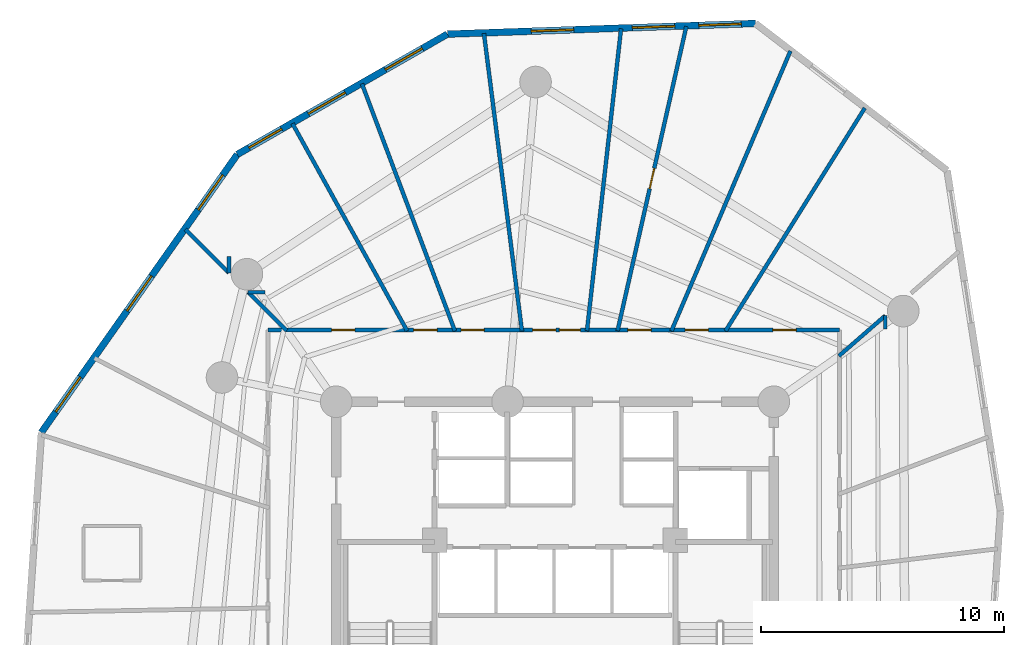
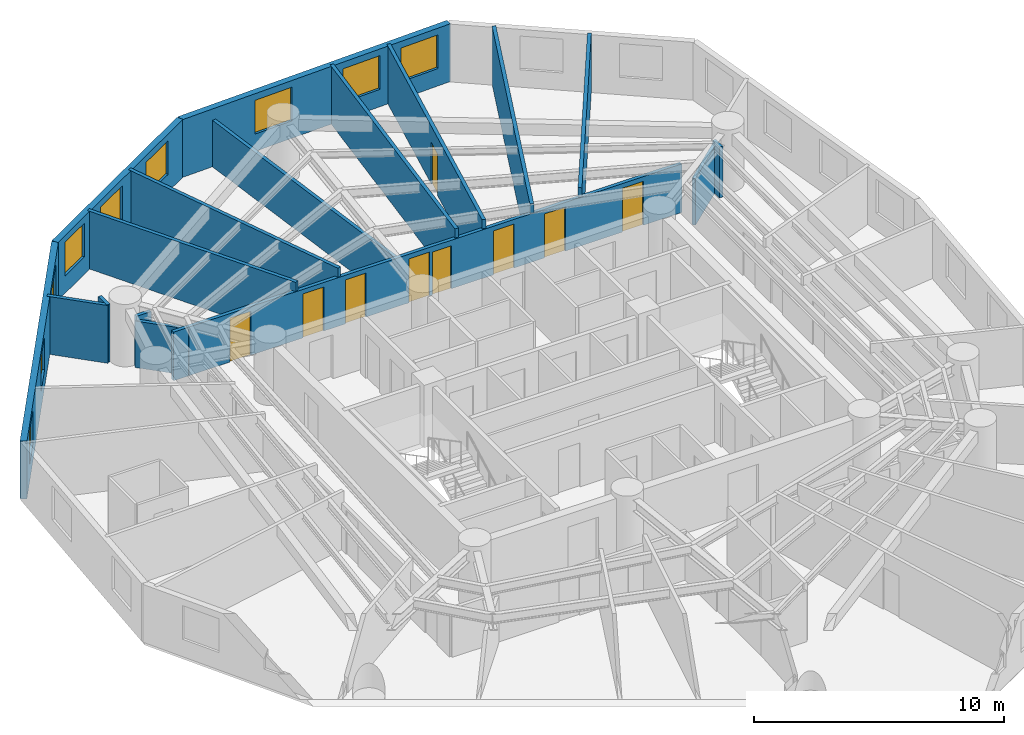
# One storey, part 6 of 8: 17 walls, 9 doors, 9 windows, 18 openings.
"""IFC4 building model written with IfcOpenShell, lengths in metres."""

from ifc_helpers import new_model, si_unit, direction, frame, frame_2d, origin, origin_with_axes, place, context, subcontext, project, spatial, rectangle, extrude, source, transform, mapped, material, layer, layer_set, type_object, element, fill, save


model = new_model("IFC4")

# Units and contexts
model_context = context("Model", 3, precision=1e-05, world=origin(), true_north=direction((0.0, 1.0)))
body_context = subcontext(model_context, "Body", "Model", "MODEL_VIEW")
ifc_project = project(units=[si_unit("LENGTHUNIT", "METRE"), si_unit("AREAUNIT", "SQUARE_METRE"), si_unit("VOLUMEUNIT", "CUBIC_METRE"), si_unit("PLANEANGLEUNIT", "RADIAN"), si_unit("MASSUNIT", "GRAM", prefix="KILO")], contexts=[model_context])

# Site, building, storey
site_placement = place(None, origin())
site = spatial("IfcSite", under=ifc_project, at=site_placement, CompositionType="ELEMENT")
building_placement = place(site_placement, origin())
building = spatial("IfcBuilding", under=site, at=building_placement, Name="Karkom Vertical University and Central Library", CompositionType="ELEMENT")
storey_placement = place(building_placement, frame((0.0, 0.0, 177.89990234375)))
storey = spatial("IfcBuildingStorey", under=building, at=storey_placement, Name="L51", CompositionType="ELEMENT", Elevation=177.89990234375)

# Wall, openings, windows
ifc_material_1 = material(Name="Brick-faced precast concrete C45/55", Category="masonry")
ifc_layer_1 = layer(ifc_material_1, 0.280029296875)
ifc_layer_set_1 = layer_set([ifc_layer_1], Name="Brick-faced precast concrete C45/55")
wall_type_1 = type_object("IfcWallType", Name="ENV-WL-BRK-280", PredefinedType="SOLIDWALL", material=ifc_layer_set_1)
wall_1_placement = place(storey_placement, frame((36.74560546875, 50.26123046875, 0.0), z_axis=(0.0, 0.0, 1.0), x_axis=(-0.999397278307, -0.034714263833, 0.0)))
wall_1 = element("IfcWall", 1, at=wall_1_placement, inside=storey, type_object=wall_type_1, Name="Level 51 Brick-Faced Precast Facade Wall 10", PredefinedType="SOLIDWALL", context=body_context, shape_type="SweptSolid", body=[
    extrude(rectangle(XDim=12.68017578125, YDim=0.280029296875, at=frame_2d((6.340087890625, 0.0))), origin(), (0.0, 0.0, 1.0), 2.8251953125),
])
opening_1_placement = place(wall_1_placement, frame((0.582763671875, 0.0, 0.85009765625)))
opening_1 = element("IfcOpeningElement", 2, at=opening_1_placement, cuts=wall_1, Name="Opening WN-08", PredefinedType="OPENING", context=body_context, shape_type="SweptSolid", body=[
    extrude(rectangle(XDim=1.75, YDim=1.64990234375, at=frame_2d((0.875, 0.824951171875))), frame((0.0, 0.14990234375, 0.0), z_axis=(0.0, -1.0, 0.0), x_axis=(1.0, 0.0, 0.0)), (0.0, 0.0, 1.0), 0.300048828125),
])
opening_2_placement = place(wall_1_placement, frame((3.321044921875, 0.0, 0.85009765625)))
opening_2 = element("IfcOpeningElement", 3, at=opening_2_placement, cuts=wall_1, Name="Opening WN-08", PredefinedType="OPENING", context=body_context, shape_type="SweptSolid", body=[
    extrude(rectangle(XDim=1.75, YDim=1.64990234375, at=frame_2d((0.875, 0.824951171875))), frame((0.0, 0.14990234375, 0.0), z_axis=(0.0, -1.0, 0.0), x_axis=(1.0, 0.0, 0.0)), (0.0, 0.0, 1.0), 0.300048828125),
])
opening_3_placement = place(wall_1_placement, frame((7.479248046875, 0.0, 0.85009765625)))
opening_3 = element("IfcOpeningElement", 4, at=opening_3_placement, cuts=wall_1, Name="Opening WN-08", PredefinedType="OPENING", context=body_context, shape_type="SweptSolid", body=[
    extrude(rectangle(XDim=1.75, YDim=1.64990234375, at=frame_2d((0.875, 0.824951171875))), frame((0.0, 0.14990234375, 0.0), z_axis=(0.0, -1.0, 0.0), x_axis=(1.0, 0.0, 0.0)), (0.0, 0.0, 1.0), 0.300048828125),
])
ifc_material_2 = material(Name="Aluminium thermal-break frame with solar-control IGU", Category="aluminium")
window_type_1 = type_object("IfcWindowType", Name="ENV-WIN-WN-08", PartitioningType="SINGLE_PANEL", PredefinedType="WINDOW", material=ifc_material_2)
shared_shape_1 = source(origin_with_axes(), body_context, "Body", "SweptSolid", [
    extrude(rectangle(XDim=1.75, YDim=1.64990234375, at=frame_2d((0.875, 0.824951171875))), frame((0.0, 0.030029296875, 0.0), z_axis=(0.0, -1.0, 0.0), x_axis=(1.0, 0.0, 0.0)), (0.0, 0.0, 1.0), 0.06005859375),
])
window_1_placement = place(opening_1_placement, origin())
window_1 = element("IfcWindow", 5, at=window_1_placement, inside=storey, type_object=window_type_1, Name="Level 51 Punched Window 10.1", OverallHeight=1.64990234375, OverallWidth=1.75, PartitioningType="SINGLE_PANEL", PredefinedType="WINDOW", context=body_context, shape_type="MappedRepresentation", body=[
    mapped(shared_shape_1, transform((0.0, 0.0, 0.0), scale=1.0)),
])
fill(opening_1, window_1)
window_2_placement = place(opening_2_placement, origin())
window_2 = element("IfcWindow", 6, at=window_2_placement, inside=storey, type_object=window_type_1, Name="Level 51 Punched Window 10.2", OverallHeight=1.64990234375, OverallWidth=1.75, PartitioningType="SINGLE_PANEL", PredefinedType="WINDOW", context=body_context, shape_type="MappedRepresentation", body=[
    mapped(shared_shape_1, transform((0.0, 0.0, 0.0), scale=1.0)),
])
fill(opening_2, window_2)
window_3_placement = place(opening_3_placement, origin())
window_3 = element("IfcWindow", 7, at=window_3_placement, inside=storey, type_object=window_type_1, Name="Level 51 Punched Window 10.3", OverallHeight=1.64990234375, OverallWidth=1.75, PartitioningType="SINGLE_PANEL", PredefinedType="WINDOW", context=body_context, shape_type="MappedRepresentation", body=[
    mapped(shared_shape_1, transform((0.0, 0.0, 0.0), scale=1.0)),
])
fill(opening_3, window_3)

wall_2_placement = place(storey_placement, frame((24.072998046875, 49.821044921875, 0.0), z_axis=(0.0, 0.0, 1.0), x_axis=(-0.867722183799, -0.49704950633, 0.0)))
wall_2 = element("IfcWall", 8, at=wall_2_placement, inside=storey, type_object=wall_type_1, Name="Level 51 Brick-Faced Precast Facade Wall 11", PredefinedType="SOLIDWALL", context=body_context, shape_type="SweptSolid", body=[
    extrude(rectangle(XDim=9.958740234375, YDim=0.280029296875, at=frame_2d((4.9794921875, 0.0))), origin(), (0.0, 0.0, 1.0), 2.8251953125),
])
opening_4_placement = place(wall_2_placement, frame((1.189697265625, 0.0, 0.85009765625)))
opening_4 = element("IfcOpeningElement", 9, at=opening_4_placement, cuts=wall_2, Name="Opening WN-08", PredefinedType="OPENING", context=body_context, shape_type="SweptSolid", body=[
    extrude(rectangle(XDim=1.75, YDim=1.64990234375, at=frame_2d((0.875, 0.824951171875))), frame((0.0, 0.14990234375, 0.0), z_axis=(0.0, -1.0, 0.0), x_axis=(1.0, 0.0, 0.0)), (0.0, 0.0, 1.0), 0.300048828125),
])
opening_5_placement = place(wall_2_placement, frame((4.837890625, 0.0, 0.85009765625)))
opening_5 = element("IfcOpeningElement", 10, at=opening_5_placement, cuts=wall_2, Name="Opening WN-08", PredefinedType="OPENING", context=body_context, shape_type="SweptSolid", body=[
    extrude(rectangle(XDim=1.75, YDim=1.64990234375, at=frame_2d((0.875, 0.824951171875))), frame((0.0, 0.14990234375, 0.0), z_axis=(0.0, -1.0, 0.0), x_axis=(1.0, 0.0, 0.0)), (0.0, 0.0, 1.0), 0.300048828125),
])
opening_6_placement = place(wall_2_placement, frame((7.852783203125, 0.0, 0.85009765625)))
opening_6 = element("IfcOpeningElement", 11, at=opening_6_placement, cuts=wall_2, Name="Opening WN-09", PredefinedType="OPENING", context=body_context, shape_type="SweptSolid", body=[
    extrude(rectangle(XDim=1.550048828125, YDim=1.64990234375, at=frame_2d((0.77490234375, 0.824951171875))), frame((0.0, 0.14990234375, 0.0), z_axis=(0.0, -1.0, 0.0), x_axis=(1.0, 0.0, 0.0)), (0.0, 0.0, 1.0), 0.300048828125),
])
window_4_placement = place(opening_4_placement, origin())
window_4 = element("IfcWindow", 12, at=window_4_placement, inside=storey, type_object=window_type_1, Name="Level 51 Punched Window 11.1", OverallHeight=1.64990234375, OverallWidth=1.75, PartitioningType="SINGLE_PANEL", PredefinedType="WINDOW", context=body_context, shape_type="MappedRepresentation", body=[
    mapped(shared_shape_1, transform((0.0, 0.0, 0.0), scale=1.0)),
])
fill(opening_4, window_4)
window_5_placement = place(opening_5_placement, origin())
window_5 = element("IfcWindow", 13, at=window_5_placement, inside=storey, type_object=window_type_1, Name="Level 51 Punched Window 11.2", OverallHeight=1.64990234375, OverallWidth=1.75, PartitioningType="SINGLE_PANEL", PredefinedType="WINDOW", context=body_context, shape_type="MappedRepresentation", body=[
    mapped(shared_shape_1, transform((0.0, 0.0, 0.0), scale=1.0)),
])
fill(opening_5, window_5)
window_type_2 = type_object("IfcWindowType", Name="ENV-WIN-WN-09", PartitioningType="SINGLE_PANEL", PredefinedType="WINDOW", material=ifc_material_2)
shared_shape_2 = source(origin_with_axes(), body_context, "Body", "SweptSolid", [
    extrude(rectangle(XDim=1.550048828125, YDim=1.64990234375, at=frame_2d((0.77490234375, 0.824951171875))), frame((0.0, 0.030029296875, 0.0), z_axis=(0.0, -1.0, 0.0), x_axis=(1.0, 0.0, 0.0)), (0.0, 0.0, 1.0), 0.06005859375),
])
window_6_placement = place(opening_6_placement, origin())
window_6 = element("IfcWindow", 14, at=window_6_placement, inside=storey, type_object=window_type_2, Name="Level 51 Punched Window 11.3", OverallHeight=1.64990234375, OverallWidth=1.550048828125, PartitioningType="SINGLE_PANEL", PredefinedType="WINDOW", context=body_context, shape_type="MappedRepresentation", body=[
    mapped(shared_shape_2, transform((0.0, 0.0, 0.0), scale=1.0)),
])
fill(opening_6, window_6)

wall_3_placement = place(storey_placement, frame((15.431640625, 44.87109375, 0.0), z_axis=(0.0, 0.0, 1.0), x_axis=(-0.576072539583, -0.817398574221, 0.0)))
wall_3 = element("IfcWall", 15, at=wall_3_placement, inside=storey, type_object=wall_type_1, Name="Level 51 Brick-Faced Precast Facade Wall 12", PredefinedType="SOLIDWALL", context=body_context, shape_type="SweptSolid", body=[
    extrude(rectangle(XDim=13.9892578125, YDim=0.280029296875, at=frame_2d((6.99462890625, 0.0))), origin(), (0.0, 0.0, 1.0), 2.8251953125),
])
opening_7_placement = place(wall_3_placement, frame((1.033447265625, 0.0, 0.85009765625)))
opening_7 = element("IfcOpeningElement", 16, at=opening_7_placement, cuts=wall_3, Name="Opening WN-08", PredefinedType="OPENING", context=body_context, shape_type="SweptSolid", body=[
    extrude(rectangle(XDim=1.75, YDim=1.64990234375, at=frame_2d((0.875, 0.824951171875))), frame((0.0, 0.14990234375, 0.0), z_axis=(0.0, -1.0, 0.0), x_axis=(1.0, 0.0, 0.0)), (0.0, 0.0, 1.0), 0.300048828125),
])
opening_8_placement = place(wall_3_placement, frame((6.117919921875, 0.0, 0.85009765625)))
opening_8 = element("IfcOpeningElement", 17, at=opening_8_placement, cuts=wall_3, Name="Opening WN-08", PredefinedType="OPENING", context=body_context, shape_type="SweptSolid", body=[
    extrude(rectangle(XDim=1.75, YDim=1.64990234375, at=frame_2d((0.875, 0.824951171875))), frame((0.0, 0.14990234375, 0.0), z_axis=(0.0, -1.0, 0.0), x_axis=(1.0, 0.0, 0.0)), (0.0, 0.0, 1.0), 0.300048828125),
])
opening_9_placement = place(wall_3_placement, frame((11.2041015625, 0.0, 0.85009765625)))
opening_9 = element("IfcOpeningElement", 18, at=opening_9_placement, cuts=wall_3, Name="Opening WN-08", PredefinedType="OPENING", context=body_context, shape_type="SweptSolid", body=[
    extrude(rectangle(XDim=1.75, YDim=1.64990234375, at=frame_2d((0.875, 0.824951171875))), frame((0.0, 0.14990234375, 0.0), z_axis=(0.0, -1.0, 0.0), x_axis=(1.0, 0.0, 0.0)), (0.0, 0.0, 1.0), 0.300048828125),
])
window_7_placement = place(opening_7_placement, origin())
window_7 = element("IfcWindow", 19, at=window_7_placement, inside=storey, type_object=window_type_1, Name="Level 51 Punched Window 12.1", OverallHeight=1.64990234375, OverallWidth=1.75, PartitioningType="SINGLE_PANEL", PredefinedType="WINDOW", context=body_context, shape_type="MappedRepresentation", body=[
    mapped(shared_shape_1, transform((0.0, 0.0, 0.0), scale=1.0)),
])
fill(opening_7, window_7)
window_8_placement = place(opening_8_placement, origin())
window_8 = element("IfcWindow", 20, at=window_8_placement, inside=storey, type_object=window_type_1, Name="Level 51 Punched Window 12.2", OverallHeight=1.64990234375, OverallWidth=1.75, PartitioningType="SINGLE_PANEL", PredefinedType="WINDOW", context=body_context, shape_type="MappedRepresentation", body=[
    mapped(shared_shape_1, transform((0.0, 0.0, 0.0), scale=1.0)),
])
fill(opening_8, window_8)
window_9_placement = place(opening_9_placement, origin())
window_9 = element("IfcWindow", 21, at=window_9_placement, inside=storey, type_object=window_type_1, Name="Level 51 Punched Window 12.3", OverallHeight=1.64990234375, OverallWidth=1.75, PartitioningType="SINGLE_PANEL", PredefinedType="WINDOW", context=body_context, shape_type="MappedRepresentation", body=[
    mapped(shared_shape_1, transform((0.0, 0.0, 0.0), scale=1.0)),
])
fill(opening_9, window_9)

# Wall, openings, doors
ifc_material_3 = material(Name="Insulated metal-stud drywall 160mm", Category="gypsum")
ifc_layer_2 = layer(ifc_material_3, 0.159912109375)
ifc_layer_set_2 = layer_set([ifc_layer_2], Name="Insulated metal-stud drywall 160mm")
wall_type_2 = type_object("IfcWallType", Name="INT-WL-COR-160", PredefinedType="PARTITIONING", material=ifc_layer_set_2)
wall_4_placement = place(storey_placement, frame((16.699951171875, 37.64990234375, 0.0), z_axis=(0.0, 0.0, 1.0), x_axis=(1.0, 0.0, 0.0)))
wall_4 = element("IfcWall", 22, at=wall_4_placement, inside=storey, type_object=wall_type_2, Name="Level 51 Interior Partition Wall L51-CORW-CW-003", PredefinedType="PARTITIONING", context=body_context, shape_type="SweptSolid", body=[
    extrude(rectangle(XDim=23.5, YDim=0.159912109375, at=frame_2d((11.75, 0.0))), origin(), (0.0, 0.0, 1.0), 2.375),
])
opening_10_placement = place(wall_4_placement, frame((20.759033203125, 0.0, 0.0)))
opening_10 = element("IfcOpeningElement", 23, at=opening_10_placement, cuts=wall_4, Name="Opening FD-RM2", PredefinedType="OPENING", context=body_context, shape_type="SweptSolid", body=[
    extrude(rectangle(XDim=0.9599609375, YDim=2.14990234375, at=frame_2d((0.47998046875, 1.074951171875))), frame((0.0, 0.08984375, 0.0), z_axis=(0.0, -1.0, 0.0), x_axis=(1.0, 0.0, 0.0)), (0.0, 0.0, 1.0), 0.179931640625),
])
opening_11_placement = place(wall_4_placement, frame((17.14990234375, 0.0, 0.0)))
opening_11 = element("IfcOpeningElement", 24, at=opening_11_placement, cuts=wall_4, Name="Opening FD-RM2", PredefinedType="OPENING", context=body_context, shape_type="SweptSolid", body=[
    extrude(rectangle(XDim=0.9599609375, YDim=2.14990234375, at=frame_2d((0.47998046875, 1.074951171875))), frame((0.0, 0.08984375, 0.0), z_axis=(0.0, -1.0, 0.0), x_axis=(1.0, 0.0, 0.0)), (0.0, 0.0, 1.0), 0.179931640625),
])
opening_12_placement = place(wall_4_placement, frame((14.800048828125, 0.0, 0.0)))
opening_12 = element("IfcOpeningElement", 25, at=opening_12_placement, cuts=wall_4, Name="Opening D-RM1", PredefinedType="OPENING", context=body_context, shape_type="SweptSolid", body=[
    extrude(rectangle(XDim=0.949951171875, YDim=2.14990234375, at=frame_2d((0.47509765625, 1.074951171875))), frame((0.0, 0.08984375, 0.0), z_axis=(0.0, -1.0, 0.0), x_axis=(1.0, 0.0, 0.0)), (0.0, 0.0, 1.0), 0.179931640625),
])
opening_13_placement = place(wall_4_placement, frame((11.98193359375, 0.0, 0.0)))
opening_13 = element("IfcOpeningElement", 26, at=opening_13_placement, cuts=wall_4, Name="Opening FD-BTH1", PredefinedType="OPENING", context=body_context, shape_type="SweptSolid", body=[
    extrude(rectangle(XDim=0.860107421875, YDim=2.10009765625, at=frame_2d((0.43017578125, 1.050048828125))), frame((0.0, 0.08984375, 0.0), z_axis=(0.0, -1.0, 0.0), x_axis=(1.0, 0.0, 0.0)), (0.0, 0.0, 1.0), 0.179931640625),
])
opening_14_placement = place(wall_4_placement, frame((10.885009765625, 0.0, 0.0)))
opening_14 = element("IfcOpeningElement", 27, at=opening_14_placement, cuts=wall_4, Name="Opening D-RM1", PredefinedType="OPENING", context=body_context, shape_type="SweptSolid", body=[
    extrude(rectangle(XDim=0.949951171875, YDim=2.14990234375, at=frame_2d((0.47509765625, 1.074951171875))), frame((0.0, 0.08984375, 0.0), z_axis=(0.0, -1.0, 0.0), x_axis=(1.0, 0.0, 0.0)), (0.0, 0.0, 1.0), 0.179931640625),
])
opening_15_placement = place(wall_4_placement, frame((7.93994140625, 0.0, 0.0)))
opening_15 = element("IfcOpeningElement", 28, at=opening_15_placement, cuts=wall_4, Name="Opening D-RM1", PredefinedType="OPENING", context=body_context, shape_type="SweptSolid", body=[
    extrude(rectangle(XDim=0.949951171875, YDim=2.14990234375, at=frame_2d((0.47509765625, 1.074951171875))), frame((0.0, 0.08984375, 0.0), z_axis=(0.0, -1.0, 0.0), x_axis=(1.0, 0.0, 0.0)), (0.0, 0.0, 1.0), 0.179931640625),
])
opening_16_placement = place(wall_4_placement, frame((5.989990234375, 0.0, 0.0)))
opening_16 = element("IfcOpeningElement", 29, at=opening_16_placement, cuts=wall_4, Name="Opening FD-RM2", PredefinedType="OPENING", context=body_context, shape_type="SweptSolid", body=[
    extrude(rectangle(XDim=0.9599609375, YDim=2.14990234375, at=frame_2d((0.47998046875, 1.074951171875))), frame((0.0, 0.08984375, 0.0), z_axis=(0.0, -1.0, 0.0), x_axis=(1.0, 0.0, 0.0)), (0.0, 0.0, 1.0), 0.179931640625),
])
opening_17_placement = place(wall_4_placement, frame((2.61083984375, 0.0, 0.0)))
opening_17 = element("IfcOpeningElement", 30, at=opening_17_placement, cuts=wall_4, Name="Opening FD-RM2", PredefinedType="OPENING", context=body_context, shape_type="SweptSolid", body=[
    extrude(rectangle(XDim=0.9599609375, YDim=2.14990234375, at=frame_2d((0.47998046875, 1.074951171875))), frame((0.0, 0.08984375, 0.0), z_axis=(0.0, -1.0, 0.0), x_axis=(1.0, 0.0, 0.0)), (0.0, 0.0, 1.0), 0.179931640625),
])
ifc_material_4 = material(Name="Fire-rated oak veneer door", Category="wood")
door_type_1 = type_object("IfcDoorType", Name="INT-DR-FRM2", OperationType="NOTDEFINED", PredefinedType="DOOR", material=ifc_material_4)
shared_shape_3 = source(origin_with_axes(), body_context, "Body", "SweptSolid", [
    extrude(rectangle(XDim=0.9599609375, YDim=2.14990234375, at=frame_2d((0.47998046875, 1.074951171875))), frame((0.0, 0.02490234375, 0.0), z_axis=(0.0, -1.0, 0.0), x_axis=(1.0, 0.0, 0.0)), (0.0, 0.0, 1.0), 0.050048828125),
])
door_1_placement = place(opening_10_placement, origin())
door_1 = element("IfcDoor", 31, at=door_1_placement, inside=storey, type_object=door_type_1, Name="Level 51 Room Entry Door 150", OperationType="SINGLE_SWING_LEFT", OverallHeight=2.14990234375, OverallWidth=0.9599609375, PredefinedType="DOOR", context=body_context, shape_type="MappedRepresentation", body=[
    mapped(shared_shape_3, transform((0.0, 0.0, 0.0), scale=1.0)),
])
fill(opening_10, door_1)
door_2_placement = place(opening_11_placement, origin())
door_2 = element("IfcDoor", 32, at=door_2_placement, inside=storey, type_object=door_type_1, Name="Level 51 Room Entry Door 160", OperationType="SINGLE_SWING_RIGHT", OverallHeight=2.14990234375, OverallWidth=0.9599609375, PredefinedType="DOOR", context=body_context, shape_type="MappedRepresentation", body=[
    mapped(shared_shape_3, transform((0.0, 0.0, 0.0), scale=1.0)),
])
fill(opening_11, door_2)
door_3_placement = place(opening_16_placement, origin())
door_3 = element("IfcDoor", 33, at=door_3_placement, inside=storey, type_object=door_type_1, Name="Level 51 Room Entry Door 210", OperationType="SINGLE_SWING_LEFT", OverallHeight=2.14990234375, OverallWidth=0.9599609375, PredefinedType="DOOR", context=body_context, shape_type="MappedRepresentation", body=[
    mapped(shared_shape_3, transform((0.0, 0.0, 0.0), scale=1.0)),
])
fill(opening_16, door_3)
door_4_placement = place(opening_17_placement, origin())
door_4 = element("IfcDoor", 34, at=door_4_placement, inside=storey, type_object=door_type_1, Name="Level 51 Room Entry Door 220", OperationType="SINGLE_SWING_RIGHT", OverallHeight=2.14990234375, OverallWidth=0.9599609375, PredefinedType="DOOR", context=body_context, shape_type="MappedRepresentation", body=[
    mapped(shared_shape_3, transform((0.0, 0.0, 0.0), scale=1.0)),
])
fill(opening_17, door_4)
ifc_material_5 = material(Name="Fire-rated moisture-resistant oak door", Category="wood")
door_type_2 = type_object("IfcDoorType", Name="INT-DR-FBTH1", OperationType="NOTDEFINED", PredefinedType="DOOR", material=ifc_material_5)
shared_shape_4 = source(origin_with_axes(), body_context, "Body", "SweptSolid", [
    extrude(rectangle(XDim=0.860107421875, YDim=2.10009765625, at=frame_2d((0.43017578125, 1.050048828125))), frame((0.0, 0.02490234375, 0.0), z_axis=(0.0, -1.0, 0.0), x_axis=(1.0, 0.0, 0.0)), (0.0, 0.0, 1.0), 0.050048828125),
])
door_5_placement = place(opening_13_placement, origin())
door_5 = element("IfcDoor", 35, at=door_5_placement, inside=storey, type_object=door_type_2, Name="Level 51 Room Entry Door 180", OperationType="SINGLE_SWING_RIGHT", OverallHeight=2.10009765625, OverallWidth=0.860107421875, PredefinedType="DOOR", context=body_context, shape_type="MappedRepresentation", body=[
    mapped(shared_shape_4, transform((0.0, 0.0, 0.0), scale=1.0)),
])
fill(opening_13, door_5)
ifc_material_6 = material(Name="Solid-core oak veneer door", Category="wood")
door_type_3 = type_object("IfcDoorType", Name="INT-DR-RM1", OperationType="NOTDEFINED", PredefinedType="DOOR", material=ifc_material_6)
shared_shape_5 = source(origin_with_axes(), body_context, "Body", "SweptSolid", [
    extrude(rectangle(XDim=0.949951171875, YDim=2.14990234375, at=frame_2d((0.47509765625, 1.074951171875))), frame((0.0, 0.02490234375, 0.0), z_axis=(0.0, -1.0, 0.0), x_axis=(1.0, 0.0, 0.0)), (0.0, 0.0, 1.0), 0.050048828125),
])
door_6_placement = place(opening_12_placement, origin())
door_6 = element("IfcDoor", 36, at=door_6_placement, inside=storey, type_object=door_type_3, Name="Level 51 Room Entry Door 170", OperationType="SINGLE_SWING_LEFT", OverallHeight=2.14990234375, OverallWidth=0.949951171875, PredefinedType="DOOR", context=body_context, shape_type="MappedRepresentation", body=[
    mapped(shared_shape_5, transform((0.0, 0.0, 0.0), scale=1.0)),
])
fill(opening_12, door_6)
door_7_placement = place(opening_14_placement, origin())
door_7 = element("IfcDoor", 37, at=door_7_placement, inside=storey, type_object=door_type_3, Name="Level 51 Room Entry Door 190", OperationType="SINGLE_SWING_LEFT", OverallHeight=2.14990234375, OverallWidth=0.949951171875, PredefinedType="DOOR", context=body_context, shape_type="MappedRepresentation", body=[
    mapped(shared_shape_5, transform((0.0, 0.0, 0.0), scale=1.0)),
])
fill(opening_14, door_7)
door_8_placement = place(opening_15_placement, origin())
door_8 = element("IfcDoor", 38, at=door_8_placement, inside=storey, type_object=door_type_3, Name="Level 51 Room Entry Door 200", OperationType="SINGLE_SWING_RIGHT", OverallHeight=2.14990234375, OverallWidth=0.949951171875, PredefinedType="DOOR", context=body_context, shape_type="MappedRepresentation", body=[
    mapped(shared_shape_5, transform((0.0, 0.0, 0.0), scale=1.0)),
])
fill(opening_15, door_8)

# Wall, opening, door
wall_5_placement = place(storey_placement, frame((31.07421875, 37.62060546875, 0.0), z_axis=(0.0, 0.0, 1.0), x_axis=(0.220372423924, 0.975415806092, 0.0)))
wall_5 = element("IfcWall", 39, at=wall_5_placement, inside=storey, type_object=wall_type_2, Name="Level 51 Interior Partition Wall L51-PW-025", PredefinedType="PARTITIONING", context=body_context, shape_type="SweptSolid", body=[
    extrude(rectangle(XDim=12.830078125, YDim=0.159912109375, at=frame_2d((6.4150390625, 0.0))), origin(), (0.0, 0.0, 1.0), 2.8251953125),
])
opening_18_placement = place(wall_5_placement, frame((5.985107421875, 0.0, 0.0)))
opening_18 = element("IfcOpeningElement", 40, at=opening_18_placement, cuts=wall_5, Name="Opening FD-BTH2", PredefinedType="OPENING", context=body_context, shape_type="SweptSolid", body=[
    extrude(rectangle(XDim=0.860107421875, YDim=2.0400390625, at=frame_2d((0.43017578125, 1.02001953125))), frame((0.0, 0.08984375, 0.0), z_axis=(0.0, -1.0, 0.0), x_axis=(1.0, 0.0, 0.0)), (0.0, 0.0, 1.0), 0.179931640625),
])
door_type_4 = type_object("IfcDoorType", Name="INT-DR-FBTH2", OperationType="NOTDEFINED", PredefinedType="DOOR", material=ifc_material_5)
shared_shape_6 = source(origin_with_axes(), body_context, "Body", "SweptSolid", [
    extrude(rectangle(XDim=0.860107421875, YDim=2.0400390625, at=frame_2d((0.43017578125, 1.02001953125))), frame((0.0, 0.02490234375, 0.0), z_axis=(0.0, -1.0, 0.0), x_axis=(1.0, 0.0, 0.0)), (0.0, 0.0, 1.0), 0.050048828125),
])
door_9_placement = place(opening_18_placement, origin())
door_9 = element("IfcDoor", 41, at=door_9_placement, inside=storey, type_object=door_type_4, Name="Level 51 University Seminar Classroom Entry Door", OperationType="SINGLE_SWING_LEFT", OverallHeight=2.0400390625, OverallWidth=0.860107421875, PredefinedType="DOOR", context=body_context, shape_type="MappedRepresentation", body=[
    mapped(shared_shape_6, transform((0.0, 0.0, 0.0), scale=1.0)),
])
fill(opening_18, door_9)

# Walls
wall_6_placement = place(storey_placement, frame((29.81591796875, 37.6201171875, 0.0), z_axis=(0.0, 0.0, 1.0), x_axis=(0.112165246107, 0.993689568007, 0.0)))
element("IfcWall", 42, at=wall_6_placement, inside=storey, type_object=wall_type_2, Name="Level 51 Interior Partition Wall L51-PW-026", PredefinedType="PARTITIONING", context=body_context, shape_type="SweptSolid", body=[
    extrude(rectangle(XDim=12.50244140625, YDim=0.159912109375, at=frame_2d((6.251220703125, 0.0))), origin(), (0.0, 0.0, 1.0), 2.8251953125),
])
wall_7_placement = place(storey_placement, frame((33.28759765625, 37.608642578125, 0.0), z_axis=(0.0, 0.0, 1.0), x_axis=(0.39121913429, 0.92029755458, 0.0)))
element("IfcWall", 43, at=wall_7_placement, inside=storey, type_object=wall_type_2, Name="Level 51 Interior Partition Wall L51-PW-024", PredefinedType="PARTITIONING", context=body_context, shape_type="SweptSolid", body=[
    extrude(rectangle(XDim=12.513427734375, YDim=0.159912109375, at=frame_2d((6.2568359375, 0.0))), origin(), (0.0, 0.0, 1.0), 2.8251953125),
])
wall_8_placement = place(storey_placement, frame((27.141845703125, 37.605224609375, 0.0), z_axis=(0.0, 0.0, 1.0), x_axis=(-0.126695246348, 0.991941689089, 0.0)))
element("IfcWall", 44, at=wall_8_placement, inside=storey, type_object=wall_type_2, Name="Level 51 Interior Partition Wall L51-PW-027", PredefinedType="PARTITIONING", context=body_context, shape_type="SweptSolid", body=[
    extrude(rectangle(XDim=12.34228515625, YDim=0.159912109375, at=frame_2d((6.171142578125, 0.0))), origin(), (0.0, 0.0, 1.0), 2.275146484375),
])
wall_9_placement = place(storey_placement, frame((24.3857421875, 37.60791015625, 0.0), z_axis=(0.0, 0.0, 1.0), x_axis=(-0.352071159639, 0.935973236023, 0.0)))
element("IfcWall", 45, at=wall_9_placement, inside=storey, type_object=wall_type_2, Name="Level 51 Interior Partition Wall L51-PW-028", PredefinedType="PARTITIONING", context=body_context, shape_type="SweptSolid", body=[
    extrude(rectangle(XDim=10.866943359375, YDim=0.159912109375, at=frame_2d((5.43359375, 0.0))), origin(), (0.0, 0.0, 1.0), 2.8251953125),
])
wall_10_placement = place(storey_placement, frame((35.51416015625, 37.61181640625, 0.0), z_axis=(0.0, 0.0, 1.0), x_axis=(0.529923831673, 0.848045242086, 0.0)))
element("IfcWall", 46, at=wall_10_placement, inside=storey, type_object=wall_type_2, Name="Level 51 Interior Partition Wall L51-PW-023", PredefinedType="PARTITIONING", context=body_context, shape_type="SweptSolid", body=[
    extrude(rectangle(XDim=10.81103515625, YDim=0.159912109375, at=frame_2d((5.405517578125, 0.0))), origin(), (0.0, 0.0, 1.0), 2.8251953125),
])
wall_11_placement = place(storey_placement, frame((22.42236328125, 37.610595703125, 0.0), z_axis=(0.0, 0.0, 1.0), x_axis=(-0.484071174418, 0.875028627016, 0.0)))
element("IfcWall", 47, at=wall_11_placement, inside=storey, type_object=wall_type_2, Name="Level 51 Interior Partition Wall L51-PW-029", PredefinedType="PARTITIONING", context=body_context, shape_type="SweptSolid", body=[
    extrude(rectangle(XDim=9.7509765625, YDim=0.159912109375, at=frame_2d((4.87548828125, 0.0))), origin(), (0.0, 0.0, 1.0), 2.8251953125),
])
wall_12_placement = place(storey_placement, frame((40.177490234375, 36.58203125, 0.0), z_axis=(0.0, 0.0, 1.0), x_axis=(0.754339267737, 0.656484782116, 0.0)))
element("IfcWall", 48, at=wall_12_placement, inside=storey, type_object=wall_type_2, Name="Level 51 Interior Partition Wall L51-PW-020", PredefinedType="PARTITIONING", context=body_context, shape_type="SweptSolid", body=[
    extrude(rectangle(XDim=2.52734375, YDim=0.159912109375, at=frame_2d((1.263671875, 0.0))), origin(), (0.0, 0.0, 1.0), 2.275146484375),
])
wall_13_placement = place(storey_placement, frame((15.089111328125, 39.993408203125, 0.0), z_axis=(0.0, 0.0, 1.0), x_axis=(-0.70720284895, 0.70701070037, 0.0)))
element("IfcWall", 49, at=wall_13_placement, inside=storey, type_object=wall_type_2, Name="Level 51 Interior Partition Wall L51-PW-033", PredefinedType="PARTITIONING", context=body_context, shape_type="SweptSolid", body=[
    extrude(rectangle(XDim=2.541259765625, YDim=0.159912109375, at=frame_2d((1.2705078125, 0.0))), origin(), (0.0, 0.0, 1.0), 2.8251953125),
])
wall_14_placement = place(storey_placement, frame((17.464599609375, 37.6181640625, 0.0), z_axis=(0.0, 0.0, 1.0), x_axis=(-0.70721569251, 0.706997853085, 0.0)))
element("IfcWall", 50, at=wall_14_placement, inside=storey, type_object=wall_type_2, Name="Level 51 Interior Partition Wall L51-PW-030", PredefinedType="PARTITIONING", context=body_context, shape_type="SweptSolid", body=[
    extrude(rectangle(XDim=2.241455078125, YDim=0.159912109375, at=frame_2d((1.12060546875, 0.0))), origin(), (0.0, 0.0, 1.0), 2.275146484375),
])
wall_15_placement = place(storey_placement, frame((15.089111328125, 40.68310546875, 0.0), z_axis=(0.0, 0.0, 1.0), x_axis=(0.0, -1.0, 0.0)))
element("IfcWall", 51, at=wall_15_placement, inside=storey, type_object=wall_type_2, Name="Level 51 Interior Partition Wall L51-PW-032", PredefinedType="PARTITIONING", context=body_context, shape_type="SweptSolid", body=[
    extrude(rectangle(XDim=0.689697265625, YDim=0.159912109375, at=frame_2d((0.3447265625, 0.0))), origin(), (0.0, 0.0, 1.0), 2.8251953125),
])
wall_16_placement = place(storey_placement, frame((15.87939453125, 39.202880859375, 0.0), z_axis=(0.0, 0.0, 1.0), x_axis=(1.0, 0.0, 0.0)))
element("IfcWall", 52, at=wall_16_placement, inside=storey, type_object=wall_type_2, Name="Level 51 Interior Partition Wall L51-PW-031", PredefinedType="PARTITIONING", context=body_context, shape_type="SweptSolid", body=[
    extrude(rectangle(XDim=0.689697265625, YDim=0.159912109375, at=frame_2d((0.3447265625, 0.0))), origin(), (0.0, 0.0, 1.0), 2.4951171875),
])
wall_17_placement = place(storey_placement, frame((42.083984375, 38.2412109375, 0.0), z_axis=(0.0, 0.0, 1.0), x_axis=(0.0, -1.0, 0.0)))
element("IfcWall", 53, at=wall_17_placement, inside=storey, type_object=wall_type_2, Name="Level 51 Interior Partition Wall L51-PW-021", PredefinedType="PARTITIONING", context=body_context, shape_type="SweptSolid", body=[
    extrude(rectangle(XDim=0.55322265625, YDim=0.159912109375, at=frame_2d((0.276611328125, 0.0))), origin(), (0.0, 0.0, 1.0), 2.4951171875),
])

save(model, "model.ifc")
